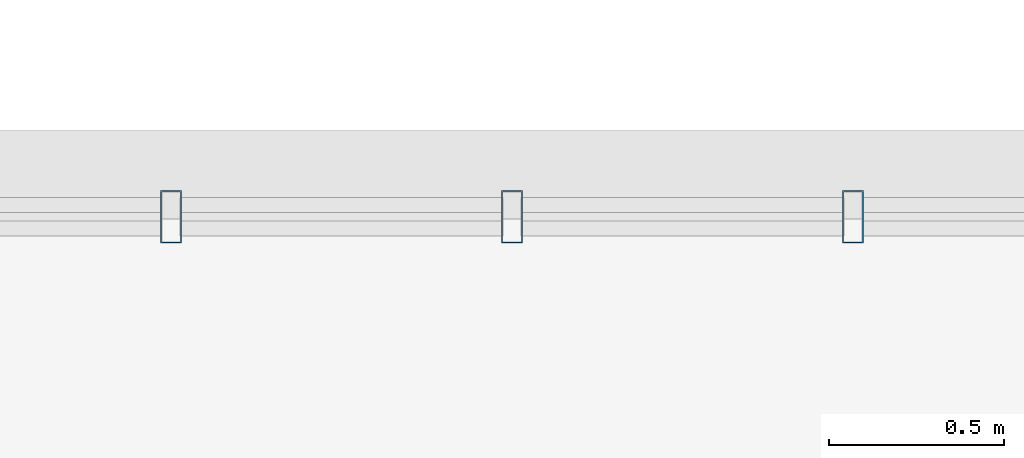
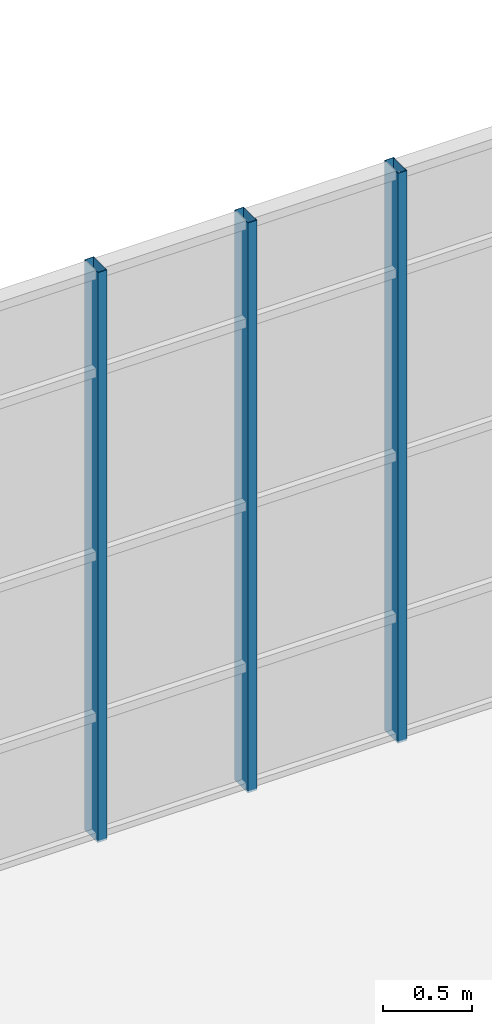
# One storey, part 52 of 118: 3 members, 1 element without a shape of its own.
"""IFC4 building model written with IfcOpenShell, lengths in metres."""

from ifc_helpers import new_model, si_unit, direction, frame, origin, origin_2d, place, context, subcontext, project, spatial, hollow_rectangle, extrude, material, layer, layer_set, material_profile, profile_set, type_object, element, aggregate, save


model = new_model("IFC4")

# Units and contexts
model_context = context("Model", 3, precision=1e-05, world=origin(), true_north=direction((0.0, 1.0)))
body_context = subcontext(model_context, "Body", "Model", "MODEL_VIEW")
ifc_project = project(units=[si_unit("LENGTHUNIT", "METRE"), si_unit("AREAUNIT", "SQUARE_METRE"), si_unit("VOLUMEUNIT", "CUBIC_METRE"), si_unit("PLANEANGLEUNIT", "RADIAN"), si_unit("MASSUNIT", "GRAM", prefix="KILO"), si_unit("THERMODYNAMICTEMPERATUREUNIT", "KELVIN"), si_unit("POWERUNIT", "WATT")], contexts=[model_context])

# Site, building, storey
site_placement = place(None, origin())
site = spatial("IfcSite", under=ifc_project, at=site_placement, CompositionType="ELEMENT")
building_placement = place(site_placement, origin())
building = spatial("IfcBuilding", under=site, at=building_placement, Name="Zelmaris Science Centre", CompositionType="ELEMENT")
storey_placement = place(building_placement, frame((0.0, 0.0, 15.60009765625)))
storey = spatial("IfcBuildingStorey", under=building, at=storey_placement, Name="L03", CompositionType="ELEMENT", Elevation=15.60009765625)

# Curtain wall, members
ifc_material = material(Name="Anodised architectural aluminium 6063-T6", Category="aluminium")
ifc_layer = layer(ifc_material, 0.219970703125, Name="Anodised architectural aluminium 6063-T6")
ifc_layer_set = layer_set([ifc_layer], Name="Anodised architectural aluminium 6063-T6")
curtain_wall_type = type_object("IfcCurtainWallType", Name="Curtain Wall CW-04", PredefinedType="USERDEFINED", material=ifc_layer_set)
curtain_wall_placement = place(storey_placement, origin())
curtain_wall = element("IfcCurtainWall", 1, at=curtain_wall_placement, inside=storey, type_object=curtain_wall_type, Name="L03 Unitised curtain wall 292", ObjectType="GLAZED CURTAIN WALL", PredefinedType="USERDEFINED")
ifc_material_profile = material_profile(ifc_material, hollow_rectangle(XDim=0.06005859375, YDim=0.14990234375, WallThickness=0.00341796875, at=origin_2d()), Name="ALU-MUL-60X150")
ifc_profile_set = profile_set([ifc_material_profile], Name="Anodised architectural aluminium 6063-T6")
member_type = type_object("IfcMemberType", Name="ALU-MUL-60X150", PredefinedType="MULLION", material=ifc_profile_set)
member_1_placement = place(storey_placement, frame((118.514892578125, 55.8798828125, -0.01513671875), z_axis=(0.0, 0.0, 1.0), x_axis=(0.999999999994, -3.490659e-06, 0.0)))
member_1 = element("IfcMember", 2, at=member_1_placement, type_object=member_type, Name="CW-04 mullion 2", PredefinedType="MULLION", context=body_context, shape_type="SweptSolid", body=[
    extrude(hollow_rectangle(XDim=0.06005859375, YDim=0.14990234375, WallThickness=0.00341796875, at=origin_2d()), origin(), (0.0, 0.0, 1.0), 3.91796875),
])
member_2_placement = place(storey_placement, frame((119.489990234375, 55.8798828125, -0.01513671875), z_axis=(0.0, 0.0, 1.0), x_axis=(0.999999999994, -3.490659e-06, 0.0)))
member_2 = element("IfcMember", 3, at=member_2_placement, type_object=member_type, Name="CW-04 mullion 3", PredefinedType="MULLION", context=body_context, shape_type="SweptSolid", body=[
    extrude(hollow_rectangle(XDim=0.06005859375, YDim=0.14990234375, WallThickness=0.00341796875, at=origin_2d()), origin(), (0.0, 0.0, 1.0), 3.91796875),
])
member_3_placement = place(storey_placement, frame((120.465087890625, 55.8798828125, -0.01513671875), z_axis=(0.0, 0.0, 1.0), x_axis=(0.999999999994, -3.490659e-06, 0.0)))
member_3 = element("IfcMember", 4, at=member_3_placement, type_object=member_type, Name="CW-04 mullion 4", PredefinedType="MULLION", context=body_context, shape_type="SweptSolid", body=[
    extrude(hollow_rectangle(XDim=0.06005859375, YDim=0.14990234375, WallThickness=0.00341796875, at=origin_2d()), origin(), (0.0, 0.0, 1.0), 3.91796875),
])
aggregate(curtain_wall, [member_1, member_2, member_3])

save(model, "model.ifc")
